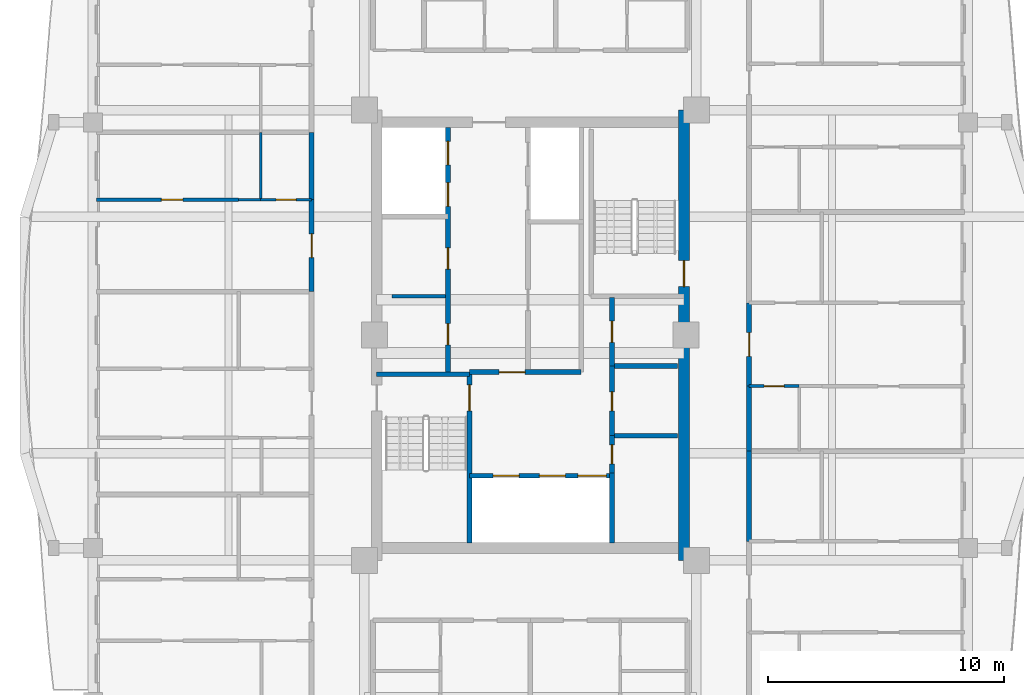
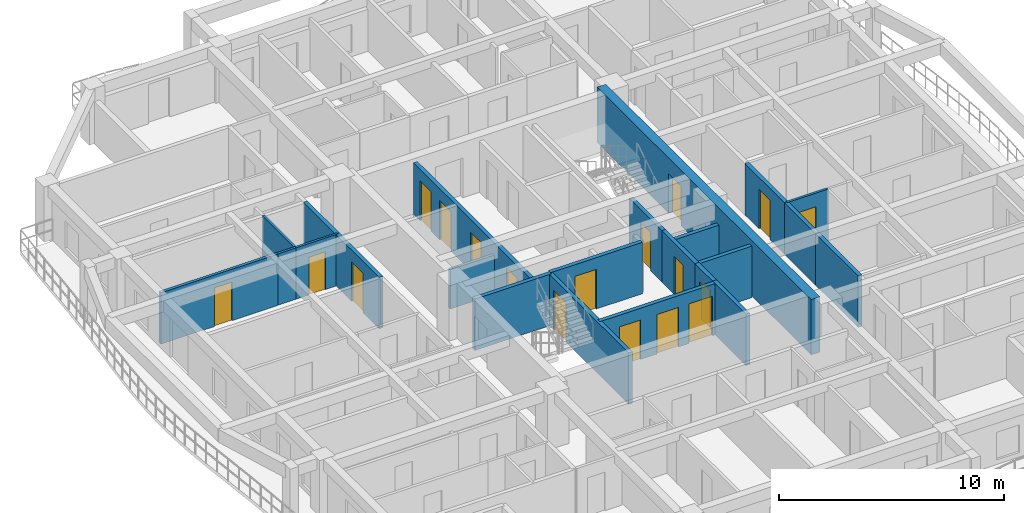
# One storey, part 4 of 13: 23 walls, 18 doors, 18 openings.
"""IFC4 building model written with IfcOpenShell, lengths in metres."""

from ifc_helpers import new_model, si_unit, direction, frame, frame_2d, origin, place, context, subcontext, project, spatial, rectangle, extrude, source, transform, mapped, material, layer, layer_set, type_object, element, fill, save


model = new_model("IFC4")

# Units and contexts
model_context = context("Model", 3, precision=1e-05, world=origin(), true_north=direction((0.0, 1.0)))
body_context = subcontext(model_context, "Body", "Model", "MODEL_VIEW")
ifc_project = project(units=[si_unit("LENGTHUNIT", "METRE"), si_unit("AREAUNIT", "SQUARE_METRE"), si_unit("VOLUMEUNIT", "CUBIC_METRE"), si_unit("PLANEANGLEUNIT", "RADIAN"), si_unit("MASSUNIT", "GRAM", prefix="KILO")], contexts=[model_context])

# Site, building, storey
site_placement = place(None, origin())
site = spatial("IfcSite", under=ifc_project, at=site_placement, CompositionType="ELEMENT")
building_placement = place(site_placement, origin())
building = spatial("IfcBuilding", under=site, at=building_placement, Name="Saelheon Loggia Tower", CompositionType="ELEMENT")
storey_placement = place(building_placement, frame((0.0, 0.0, 199.60009765625)))
storey = spatial("IfcBuildingStorey", under=building, at=storey_placement, Name="L62", CompositionType="ELEMENT", Elevation=199.60009765625)

# Wall, opening, door
ifc_material_1 = material(Name="Concrete C45/55", Category="concrete")
ifc_layer_1 = layer(ifc_material_1, 0.449951171875)
ifc_layer_set_1 = layer_set([ifc_layer_1], Name="Concrete C45/55")
wall_type_1 = type_object("IfcWallType", Name="Wall_CoreShear_450", PredefinedType="SHEAR", material=ifc_layer_set_1)
wall_1_placement = place(storey_placement, frame((44.5, 17.47998046875, 0.0), z_axis=(0.0, 0.0, 1.0), x_axis=(0.0, 1.0, 0.0)))
wall_1 = element("IfcWall", 1, at=wall_1_placement, inside=storey, type_object=wall_type_1, Name="L62 Core Shear Wall East", PredefinedType="SHEAR", context=body_context, shape_type="SweptSolid", body=[
    extrude(rectangle(XDim=19.0400390625, YDim=0.449951171875, at=frame_2d((9.52001953125, 0.0))), origin(), (0.0, 0.0, 1.0), 3.0),
])
opening_1_placement = place(wall_1_placement, frame((12.670166015625, 0.0, 0.0), z_axis=(0.0, 0.0, 1.0), x_axis=(-1.0, 0.0, 0.0)))
opening_1 = element("IfcOpeningElement", 2, at=opening_1_placement, cuts=wall_1, Name="Opening D-FD2", PredefinedType="OPENING", context=body_context, shape_type="SweptSolid", body=[
    extrude(rectangle(XDim=1.10009765625, YDim=2.14990234375, at=frame_2d((0.550048828125, 1.074951171875))), frame((0.0, 0.237060546875, 0.0), z_axis=(0.0, -1.0, 0.0), x_axis=(1.0, 0.0, 0.0)), (0.0, 0.0, 1.0), 0.473876953125),
])
ifc_material_2 = material(Name="Galvanised Steel Fire Door", Category="steel")
door_type_1 = type_object("IfcDoorType", Name="Door_Fire_FD60_1100", OperationType="NOTDEFINED", PredefinedType="DOOR", material=ifc_material_2)
shared_shape_1 = source(origin(), body_context, "Body", "SweptSolid", [
    extrude(rectangle(XDim=1.10009765625, YDim=2.14990234375, at=frame_2d((0.550048828125, 1.074951171875))), frame((0.0, 0.02490234375, 0.0), z_axis=(0.0, -1.0, 0.0), x_axis=(1.0, 0.0, 0.0)), (0.0, 0.0, 1.0), 0.050048828125),
])
door_1_placement = place(opening_1_placement, origin())
door_1 = element("IfcDoor", 3, at=door_1_placement, inside=storey, type_object=door_type_1, Name="L62 Stair ST2 Corridor Door", OperationType="SINGLE_SWING_RIGHT", OverallHeight=2.14990234375, OverallWidth=1.10009765625, PredefinedType="DOOR", context=body_context, shape_type="MappedRepresentation", body=[
    mapped(shared_shape_1, transform((0.0, 0.0, 0.0), scale=1.0)),
])
fill(opening_1, door_1)

# Wall
ifc_material_3 = material(Name="Lightweight Autoclaved Aerated Concrete Block and Acoustic Gypsum", Category="concrete")
ifc_layer_2 = layer(ifc_material_3, 0.14990234375)
ifc_layer_set_2 = layer_set([ifc_layer_2], Name="Lightweight Autoclaved Aerated Concrete Block and Acoustic Gypsum")
wall_type_2 = type_object("IfcWallType", Name="Wall_Part_150", PredefinedType="PARTITIONING", material=ifc_layer_set_2)
wall_2_placement = place(storey_placement, frame((32.14990234375, 28.64990234375, 0.0), z_axis=(0.0, 0.0, 1.0), x_axis=(1.0, 0.0, 0.0)))
element("IfcWall", 4, at=wall_2_placement, inside=storey, type_object=wall_type_2, Name="L62 Freed Core Partition PL", PredefinedType="PARTITIONING", context=body_context, shape_type="SweptSolid", body=[
    extrude(rectangle(XDim=2.27001953125, YDim=0.14990234375, at=frame_2d((1.135009765625, 0.0))), origin(), (0.0, 0.0, 1.0), 2.139892578125),
])

# Wall, opening, door
wall_3_placement = place(storey_placement, frame((25.669921875, 32.729248046875, 0.0), z_axis=(0.0, 0.0, 1.0), x_axis=(-1.0, 0.0, 0.0)))
wall_3 = element("IfcWall", 5, at=wall_3_placement, inside=storey, type_object=wall_type_2, Name="L62 W Partition U30", PredefinedType="PARTITIONING", context=body_context, shape_type="SweptSolid", body=[
    extrude(rectangle(XDim=6.02001953125, YDim=0.14990234375, at=frame_2d((3.010009765625, 0.0))), origin(), (0.0, 0.0, 1.0), 2.789794921875),
])
opening_2_placement = place(wall_3_placement, frame((2.36669921875, 0.0, 0.0)))
opening_2 = element("IfcOpeningElement", 6, at=opening_2_placement, cuts=wall_3, Name="Opening D-IN2", PredefinedType="OPENING", context=body_context, shape_type="SweptSolid", body=[
    extrude(rectangle(XDim=0.89990234375, YDim=2.10009765625, at=frame_2d((0.449951171875, 1.050048828125))), frame((0.0, 0.0869140625, 0.0), z_axis=(0.0, -1.0, 0.0), x_axis=(1.0, 0.0, 0.0)), (0.0, 0.0, 1.0), 0.173828125),
])
ifc_material_4 = material(Name="Engineered Oak Flush Door", Category="timber")
door_type_2 = type_object("IfcDoorType", Name="Door_Int_900", OperationType="NOTDEFINED", PredefinedType="DOOR", material=ifc_material_4)
shared_shape_2 = source(origin(), body_context, "Body", "SweptSolid", [
    extrude(rectangle(XDim=0.89990234375, YDim=2.10009765625, at=frame_2d((0.449951171875, 1.050048828125))), frame((0.0, 0.02490234375, 0.0), z_axis=(0.0, -1.0, 0.0), x_axis=(1.0, 0.0, 0.0)), (0.0, 0.0, 1.0), 0.050048828125),
])
door_2_placement = place(opening_2_placement, origin())
door_2 = element("IfcDoor", 7, at=door_2_placement, inside=storey, type_object=door_type_2, Name="Unit U07 Kitchen Door", OperationType="SINGLE_SWING_LEFT", OverallHeight=2.10009765625, OverallWidth=0.89990234375, PredefinedType="DOOR", context=body_context, shape_type="MappedRepresentation", body=[
    mapped(shared_shape_2, transform((0.0, 0.0, 0.0), scale=1.0)),
])
fill(opening_2, door_2)

ifc_material_5 = material(Name="Double Acoustic Stud and Fireboard Partition", Category="gypsum")
ifc_layer_3 = layer(ifc_material_5, 0.199951171875)
ifc_layer_set_3 = layer_set([ifc_layer_3], Name="Double Acoustic Stud and Fireboard Partition")
wall_type_3 = type_object("IfcWallType", Name="Wall_Party_200", PredefinedType="PARTITIONING", material=ifc_layer_set_3)
wall_4_placement = place(storey_placement, frame((28.75, 28.83837890625, 0.0), z_axis=(0.0, 0.0, 1.0), x_axis=(0.0, 1.0, 0.0)))
wall_4 = element("IfcWall", 8, at=wall_4_placement, inside=storey, type_object=wall_type_3, Name="L62 W Partition V25", PredefinedType="PARTITIONING", context=body_context, shape_type="SweptSolid", body=[
    extrude(rectangle(XDim=3.890869140625, YDim=0.199951171875, at=frame_2d((1.9453125, 0.0))), origin(), (0.0, 0.0, 1.0), 2.789794921875),
])
opening_3_placement = place(wall_4_placement, frame((1.4453125, 0.0, 0.0)))
opening_3 = element("IfcOpeningElement", 9, at=opening_3_placement, cuts=wall_4, Name="Opening D-FD1", PredefinedType="OPENING", context=body_context, shape_type="SweptSolid", body=[
    extrude(rectangle(XDim=1.0, YDim=2.14990234375, at=frame_2d((0.5, 1.074951171875))), frame((0.0, 0.112060546875, 0.0), z_axis=(0.0, -1.0, 0.0), x_axis=(1.0, 0.0, 0.0)), (0.0, 0.0, 1.0), 0.223876953125),
])
ifc_material_6 = material(Name="Fire-Rated Engineered Timber Entrance Door", Category="wood")
door_type_3 = type_object("IfcDoorType", Name="Door_Flat_FD30S", OperationType="NOTDEFINED", PredefinedType="DOOR", material=ifc_material_6)
shared_shape_3 = source(origin(), body_context, "Body", "SweptSolid", [
    extrude(rectangle(XDim=1.0, YDim=2.14990234375, at=frame_2d((0.5, 1.074951171875))), frame((0.0, 0.02490234375, 0.0), z_axis=(0.0, -1.0, 0.0), x_axis=(1.0, 0.0, 0.0)), (0.0, 0.0, 1.0), 0.050048828125),
])
door_3_placement = place(opening_3_placement, origin())
door_3 = element("IfcDoor", 10, at=door_3_placement, inside=storey, type_object=door_type_3, Name="Unit U07 Entrance Door", OperationType="SINGLE_SWING_LEFT", OverallHeight=2.14990234375, OverallWidth=1.0, PredefinedType="DOOR", context=body_context, shape_type="MappedRepresentation", body=[
    mapped(shared_shape_3, transform((0.0, 0.0, 0.0), scale=1.0)),
])
fill(opening_3, door_3)

# Walls
wall_5_placement = place(storey_placement, frame((28.75, 32.729248046875, 0.0), z_axis=(0.0, 0.0, 1.0), x_axis=(0.0, 1.0, 0.0)))
element("IfcWall", 11, at=wall_5_placement, inside=storey, type_object=wall_type_3, Name="L62 W Partition V26", PredefinedType="PARTITIONING", context=body_context, shape_type="SweptSolid", body=[
    extrude(rectangle(XDim=2.849853515625, YDim=0.199951171875, at=frame_2d((1.4248046875, 0.0))), origin(), (0.0, 0.0, 1.0), 2.789794921875),
])
wall_6_placement = place(storey_placement, frame((47.25, 18.280029296875, 0.0), z_axis=(0.0, 0.0, 1.0), x_axis=(0.0, 1.0, 0.0)))
element("IfcWall", 12, at=wall_6_placement, inside=storey, type_object=wall_type_3, Name="L62 E Partition V05", PredefinedType="PARTITIONING", context=body_context, shape_type="SweptSolid", body=[
    extrude(rectangle(XDim=3.817626953125, YDim=0.199951171875, at=frame_2d((1.90869140625, 0.0))), origin(), (0.0, 0.0, 1.0), 2.789794921875),
])
wall_7_placement = place(storey_placement, frame((47.25, 22.09765625, 0.0), z_axis=(0.0, 0.0, 1.0), x_axis=(0.0, 1.0, 0.0)))
element("IfcWall", 13, at=wall_7_placement, inside=storey, type_object=wall_type_3, Name="L62 E Partition V14", PredefinedType="PARTITIONING", context=body_context, shape_type="SweptSolid", body=[
    extrude(rectangle(XDim=2.75, YDim=0.199951171875, at=frame_2d((1.375, 0.0))), origin(), (0.0, 0.0, 1.0), 2.789794921875),
])

# Wall, opening, door
wall_8_placement = place(storey_placement, frame((47.25, 24.84765625, 0.0), z_axis=(0.0, 0.0, 1.0), x_axis=(0.0, 1.0, 0.0)))
wall_8 = element("IfcWall", 14, at=wall_8_placement, inside=storey, type_object=wall_type_3, Name="L62 E Partition V15", PredefinedType="PARTITIONING", context=body_context, shape_type="SweptSolid", body=[
    extrude(rectangle(XDim=3.518798828125, YDim=0.199951171875, at=frame_2d((1.75927734375, 0.0))), origin(), (0.0, 0.0, 1.0), 2.789794921875),
])
opening_4_placement = place(wall_8_placement, frame((1.259521484375, 0.0, 0.0)))
opening_4 = element("IfcOpeningElement", 15, at=opening_4_placement, cuts=wall_8, Name="Opening D-FD1", PredefinedType="OPENING", context=body_context, shape_type="SweptSolid", body=[
    extrude(rectangle(XDim=1.0, YDim=2.14990234375, at=frame_2d((0.5, 1.074951171875))), frame((0.0, 0.112060546875, 0.0), z_axis=(0.0, -1.0, 0.0), x_axis=(1.0, 0.0, 0.0)), (0.0, 0.0, 1.0), 0.223876953125),
])
door_4_placement = place(opening_4_placement, origin())
door_4 = element("IfcDoor", 16, at=door_4_placement, inside=storey, type_object=door_type_3, Name="Unit U10 Entrance Door", OperationType="SINGLE_SWING_RIGHT", OverallHeight=2.14990234375, OverallWidth=1.0, PredefinedType="DOOR", context=body_context, shape_type="MappedRepresentation", body=[
    mapped(shared_shape_3, transform((0.0, 0.0, 0.0), scale=1.0)),
])
fill(opening_4, door_4)

# Walls
ifc_material_7 = material(Name="Concrete C40/50", Category="concrete")
ifc_layer_4 = layer(ifc_material_7, 0.199951171875)
ifc_layer_set_4 = layer_set([ifc_layer_4], Name="Concrete C40/50")
wall_type_4 = type_object("IfcWallType", Name="Wall_Shaft_200", PredefinedType="PARTITIONING", material=ifc_layer_set_4)
wall_9_placement = place(storey_placement, frame((41.550048828125, 22.75, 0.0), z_axis=(0.0, 0.0, 1.0), x_axis=(1.0, 0.0, 0.0)))
element("IfcWall", 17, at=wall_9_placement, inside=storey, type_object=wall_type_4, Name="CW-BOH-L62-H1", PredefinedType="PARTITIONING", context=body_context, shape_type="SweptSolid", body=[
    extrude(rectangle(XDim=2.669921875, YDim=0.199951171875, at=frame_2d((1.3349609375, 0.0))), origin(), (0.0, 0.0, 1.0), 2.789794921875),
])
wall_10_placement = place(storey_placement, frame((41.550048828125, 25.699951171875, 0.0), z_axis=(0.0, 0.0, 1.0), x_axis=(1.0, 0.0, 0.0)))
element("IfcWall", 18, at=wall_10_placement, inside=storey, type_object=wall_type_4, Name="CW-BOH-L62-H2", PredefinedType="PARTITIONING", context=body_context, shape_type="SweptSolid", body=[
    extrude(rectangle(XDim=2.669921875, YDim=0.199951171875, at=frame_2d((1.3349609375, 0.0))), origin(), (0.0, 0.0, 1.0), 2.139892578125),
])
wall_11_placement = place(storey_placement, frame((41.449951171875, 18.219970703125, 0.0), z_axis=(0.0, 0.0, 1.0), x_axis=(0.0, 1.0, 0.0)))
element("IfcWall", 19, at=wall_11_placement, inside=storey, type_object=wall_type_4, Name="CW-INT-L62-BOH-W0", PredefinedType="PARTITIONING", context=body_context, shape_type="SweptSolid", body=[
    extrude(rectangle(XDim=2.9599609375, YDim=0.199951171875, at=frame_2d((1.47998046875, 0.0))), origin(), (0.0, 0.0, 1.0), 2.789794921875),
])

# Wall, opening, door
wall_12_placement = place(storey_placement, frame((41.449951171875, 21.179931640625, 0.0), z_axis=(0.0, 0.0, 1.0), x_axis=(0.0, 1.0, 0.0)))
wall_12 = element("IfcWall", 20, at=wall_12_placement, inside=storey, type_object=wall_type_4, Name="CW-INT-L62-BOH-W1", PredefinedType="PARTITIONING", context=body_context, shape_type="SweptSolid", body=[
    extrude(rectangle(XDim=1.570068359375, YDim=0.199951171875, at=frame_2d((0.78515625, 0.0))), origin(), (0.0, 0.0, 1.0), 2.789794921875),
])
opening_5_placement = place(wall_12_placement, frame((0.3798828125, 0.0, 0.0)))
opening_5 = element("IfcOpeningElement", 21, at=opening_5_placement, cuts=wall_12, Name="Opening D-ST1", PredefinedType="OPENING", context=body_context, shape_type="SweptSolid", body=[
    extrude(rectangle(XDim=0.800048828125, YDim=2.050048828125, at=frame_2d((0.39990234375, 1.02490234375))), frame((0.0, 0.112060546875, 0.0), z_axis=(0.0, -1.0, 0.0), x_axis=(1.0, 0.0, 0.0)), (0.0, 0.0, 1.0), 0.223876953125),
])
ifc_material_8 = material(Name="Powder-Coated Steel Store Door", Category="steel")
door_type_4 = type_object("IfcDoorType", Name="Door_Store_800", OperationType="NOTDEFINED", PredefinedType="DOOR", material=ifc_material_8)
shared_shape_4 = source(origin(), body_context, "Body", "SweptSolid", [
    extrude(rectangle(XDim=0.800048828125, YDim=2.050048828125, at=frame_2d((0.39990234375, 1.02490234375))), frame((0.0, 0.02490234375, 0.0), z_axis=(0.0, -1.0, 0.0), x_axis=(1.0, 0.0, 0.0)), (0.0, 0.0, 1.0), 0.050048828125),
])
door_5_placement = place(opening_5_placement, origin())
door_5 = element("IfcDoor", 22, at=door_5_placement, inside=storey, type_object=door_type_4, Name="L62 Cleaner Store Door", OperationType="SINGLE_SWING_RIGHT", OverallHeight=2.050048828125, OverallWidth=0.800048828125, PredefinedType="DOOR", context=body_context, shape_type="MappedRepresentation", body=[
    mapped(shared_shape_4, transform((0.0, 0.0, 0.0), scale=1.0)),
])
fill(opening_5, door_5)

wall_13_placement = place(storey_placement, frame((41.449951171875, 22.75, 0.0), z_axis=(0.0, 0.0, 1.0), x_axis=(0.0, 1.0, 0.0)))
wall_13 = element("IfcWall", 23, at=wall_13_placement, inside=storey, type_object=wall_type_4, Name="CW-INT-L62-BOH-W2", PredefinedType="PARTITIONING", context=body_context, shape_type="SweptSolid", body=[
    extrude(rectangle(XDim=2.949951171875, YDim=0.199951171875, at=frame_2d((1.47509765625, 0.0))), origin(), (0.0, 0.0, 1.0), 2.789794921875),
])
opening_6_placement = place(wall_13_placement, frame((1.050048828125, 0.0, 0.0)))
opening_6 = element("IfcOpeningElement", 24, at=opening_6_placement, cuts=wall_13, Name="Opening D-ST1", PredefinedType="OPENING", context=body_context, shape_type="SweptSolid", body=[
    extrude(rectangle(XDim=0.800048828125, YDim=2.050048828125, at=frame_2d((0.39990234375, 1.02490234375))), frame((0.0, 0.112060546875, 0.0), z_axis=(0.0, -1.0, 0.0), x_axis=(1.0, 0.0, 0.0)), (0.0, 0.0, 1.0), 0.223876953125),
])
door_6_placement = place(opening_6_placement, origin())
door_6 = element("IfcDoor", 25, at=door_6_placement, inside=storey, type_object=door_type_4, Name="L62 Electrical Riser Door", OperationType="SINGLE_SWING_LEFT", OverallHeight=2.050048828125, OverallWidth=0.800048828125, PredefinedType="DOOR", context=body_context, shape_type="MappedRepresentation", body=[
    mapped(shared_shape_4, transform((0.0, 0.0, 0.0), scale=1.0)),
])
fill(opening_6, door_6)

wall_14_placement = place(storey_placement, frame((41.449951171875, 25.699951171875, 0.0), z_axis=(0.0, 0.0, 1.0), x_axis=(0.0, 1.0, 0.0)))
wall_14 = element("IfcWall", 26, at=wall_14_placement, inside=storey, type_object=wall_type_4, Name="CW-INT-L62-BOH-W3", PredefinedType="PARTITIONING", context=body_context, shape_type="SweptSolid", body=[
    extrude(rectangle(XDim=2.900146484375, YDim=0.199951171875, at=frame_2d((1.4501953125, 0.0))), origin(), (0.0, 0.0, 1.0), 2.789794921875),
])
opening_7_placement = place(wall_14_placement, frame((1.0, 0.0, 0.0)))
opening_7 = element("IfcOpeningElement", 27, at=opening_7_placement, cuts=wall_14, Name="Opening D-RS1", PredefinedType="OPENING", context=body_context, shape_type="SweptSolid", body=[
    extrude(rectangle(XDim=0.89990234375, YDim=2.10009765625, at=frame_2d((0.449951171875, 1.050048828125))), frame((0.0, 0.112060546875, 0.0), z_axis=(0.0, -1.0, 0.0), x_axis=(1.0, 0.0, 0.0)), (0.0, 0.0, 1.0), 0.223876953125),
])
ifc_material_9 = material(Name="Galvanised Steel Riser Access Door", Category="steel")
door_type_5 = type_object("IfcDoorType", Name="Door_Riser_FD60", OperationType="NOTDEFINED", PredefinedType="DOOR", material=ifc_material_9)
door_7_placement = place(opening_7_placement, origin())
door_7 = element("IfcDoor", 28, at=door_7_placement, inside=storey, type_object=door_type_5, Name="L62 Floor IT Room Door", OperationType="SINGLE_SWING_RIGHT", OverallHeight=2.10009765625, OverallWidth=0.89990234375, PredefinedType="DOOR", context=body_context, shape_type="MappedRepresentation", body=[
    mapped(shared_shape_2, transform((0.0, 0.0, 0.0), scale=1.0)),
])
fill(opening_7, door_7)

# Wall, openings, doors
wall_15_placement = place(storey_placement, frame((35.429931640625, 21.06005859375, 0.0), z_axis=(0.0, 0.0, 1.0), x_axis=(1.0, 0.0, 0.0)))
wall_15 = element("IfcWall", 29, at=wall_15_placement, inside=storey, type_object=wall_type_4, Name="L62 Firefighting Lift Shaft Front Wall", PredefinedType="PARTITIONING", context=body_context, shape_type="SweptSolid", body=[
    extrude(rectangle(XDim=6.02001953125, YDim=0.199951171875, at=frame_2d((3.010009765625, 0.0))), origin(), (0.0, 0.0, 1.0), 2.789794921875),
])
opening_8_placement = place(wall_15_placement, frame((1.0, 0.0, 0.0)))
opening_8 = element("IfcOpeningElement", 30, at=opening_8_placement, cuts=wall_15, Name="Opening LD2", PredefinedType="OPENING", context=body_context, shape_type="SweptSolid", body=[
    extrude(rectangle(XDim=1.10009765625, YDim=2.14990234375, at=frame_2d((0.550048828125, 1.074951171875))), frame((0.0, 0.112060546875, 0.0), z_axis=(0.0, -1.0, 0.0), x_axis=(1.0, 0.0, 0.0)), (0.0, 0.0, 1.0), 0.223876953125),
])
opening_9_placement = place(wall_15_placement, frame((2.949951171875, 0.0, 0.0)))
opening_9 = element("IfcOpeningElement", 31, at=opening_9_placement, cuts=wall_15, Name="Opening LD2", PredefinedType="OPENING", context=body_context, shape_type="SweptSolid", body=[
    extrude(rectangle(XDim=1.10009765625, YDim=2.14990234375, at=frame_2d((0.550048828125, 1.074951171875))), frame((0.0, 0.112060546875, 0.0), z_axis=(0.0, -1.0, 0.0), x_axis=(1.0, 0.0, 0.0)), (0.0, 0.0, 1.0), 0.223876953125),
])
opening_10_placement = place(wall_15_placement, frame((4.580078125, 0.0, 0.0)))
opening_10 = element("IfcOpeningElement", 32, at=opening_10_placement, cuts=wall_15, Name="Opening LD3", PredefinedType="OPENING", context=body_context, shape_type="SweptSolid", body=[
    extrude(rectangle(XDim=1.199951171875, YDim=2.14990234375, at=frame_2d((0.60009765625, 1.074951171875))), frame((0.0, 0.112060546875, 0.0), z_axis=(0.0, -1.0, 0.0), x_axis=(1.0, 0.0, 0.0)), (0.0, 0.0, 1.0), 0.223876953125),
])
ifc_material_10 = material(Name="Firefighting Stainless Steel 316 Landing Door", Category="steel")
door_type_6 = type_object("IfcDoorType", Name="Door_Lift_LD2", OperationType="DOUBLE_DOOR_SLIDING", PredefinedType="DOOR", material=ifc_material_10)
door_8_placement = place(opening_8_placement, origin())
door_8 = element("IfcDoor", 33, at=door_8_placement, inside=storey, type_object=door_type_6, Name="L62 FF1 Landing Door", OperationType="DOUBLE_DOOR_SLIDING", OverallHeight=2.14990234375, OverallWidth=1.10009765625, PredefinedType="DOOR", context=body_context, shape_type="MappedRepresentation", body=[
    mapped(shared_shape_1, transform((0.0, 0.0, 0.0), scale=1.0)),
])
fill(opening_8, door_8)
door_9_placement = place(opening_9_placement, origin())
door_9 = element("IfcDoor", 34, at=door_9_placement, inside=storey, type_object=door_type_6, Name="L62 FF2 Landing Door", OperationType="DOUBLE_DOOR_SLIDING", OverallHeight=2.14990234375, OverallWidth=1.10009765625, PredefinedType="DOOR", context=body_context, shape_type="MappedRepresentation", body=[
    mapped(shared_shape_1, transform((0.0, 0.0, 0.0), scale=1.0)),
])
fill(opening_9, door_9)
ifc_material_11 = material(Name="Stretcher Lift Stainless Steel 304 Landing Door", Category="steel")
door_type_7 = type_object("IfcDoorType", Name="Door_Lift_LD3", OperationType="DOUBLE_DOOR_SLIDING", PredefinedType="DOOR", material=ifc_material_11)
shared_shape_5 = source(origin(), body_context, "Body", "SweptSolid", [
    extrude(rectangle(XDim=1.199951171875, YDim=2.14990234375, at=frame_2d((0.60009765625, 1.074951171875))), frame((0.0, 0.02490234375, 0.0), z_axis=(0.0, -1.0, 0.0), x_axis=(1.0, 0.0, 0.0)), (0.0, 0.0, 1.0), 0.050048828125),
])
door_10_placement = place(opening_10_placement, origin())
door_10 = element("IfcDoor", 35, at=door_10_placement, inside=storey, type_object=door_type_7, Name="L62 SV1 Landing Door", OperationType="DOUBLE_DOOR_SLIDING", OverallHeight=2.14990234375, OverallWidth=1.199951171875, PredefinedType="DOOR", context=body_context, shape_type="MappedRepresentation", body=[
    mapped(shared_shape_5, transform((0.0, 0.0, 0.0), scale=1.0)),
])
fill(opening_10, door_10)

# Wall, opening, door
wall_16_placement = place(storey_placement, frame((35.429931640625, 25.43994140625, 0.0), z_axis=(0.0, 0.0, 1.0), x_axis=(1.0, 0.0, 0.0)))
wall_16 = element("IfcWall", 36, at=wall_16_placement, inside=storey, type_object=wall_type_4, Name="L62 Firefighting Lobby Compartment Wall", PredefinedType="PARTITIONING", context=body_context, shape_type="SweptSolid", body=[
    extrude(rectangle(XDim=4.719970703125, YDim=0.199951171875, at=frame_2d((2.35986328125, 0.0))), origin(), (0.0, 0.0, 1.0), 2.789794921875),
])
opening_11_placement = place(wall_16_placement, frame((1.25, 0.0, 0.0)))
opening_11 = element("IfcOpeningElement", 37, at=opening_11_placement, cuts=wall_16, Name="Opening D-FD2", PredefinedType="OPENING", context=body_context, shape_type="SweptSolid", body=[
    extrude(rectangle(XDim=1.10009765625, YDim=2.14990234375, at=frame_2d((0.550048828125, 1.074951171875))), frame((0.0, 0.112060546875, 0.0), z_axis=(0.0, -1.0, 0.0), x_axis=(1.0, 0.0, 0.0)), (0.0, 0.0, 1.0), 0.223876953125),
])
door_11_placement = place(opening_11_placement, origin())
door_11 = element("IfcDoor", 38, at=door_11_placement, inside=storey, type_object=door_type_1, Name="L62 Firefighting Lobby Door", OperationType="SINGLE_SWING_LEFT", OverallHeight=2.14990234375, OverallWidth=1.10009765625, PredefinedType="DOOR", context=body_context, shape_type="MappedRepresentation", body=[
    mapped(shared_shape_1, transform((0.0, 0.0, 0.0), scale=1.0)),
])
fill(opening_11, door_11)

# Wall, openings, doors
wall_17_placement = place(storey_placement, frame((34.52001953125, 25.43994140625, 0.0), z_axis=(0.0, 0.0, 1.0), x_axis=(0.0, 1.0, 0.0)))
wall_17 = element("IfcWall", 39, at=wall_17_placement, inside=storey, type_object=wall_type_4, Name="L62 West Passenger Lift Bank Wall", PredefinedType="PARTITIONING", context=body_context, shape_type="SweptSolid", body=[
    extrude(rectangle(XDim=10.340087890625, YDim=0.199951171875, at=frame_2d((5.169921875, 0.0))), origin(), (0.0, 0.0, 1.0), 2.789794921875),
])
opening_12_placement = place(wall_17_placement, frame((1.14990234375, 0.0, 0.0)))
opening_12 = element("IfcOpeningElement", 40, at=opening_12_placement, cuts=wall_17, Name="Opening D-RS1", PredefinedType="OPENING", context=body_context, shape_type="SweptSolid", body=[
    extrude(rectangle(XDim=0.89990234375, YDim=2.10009765625, at=frame_2d((0.449951171875, 1.050048828125))), frame((0.0, 0.112060546875, 0.0), z_axis=(0.0, -1.0, 0.0), x_axis=(1.0, 0.0, 0.0)), (0.0, 0.0, 1.0), 0.223876953125),
])
opening_13_placement = place(wall_17_placement, frame((4.35009765625, 0.0, 0.0)))
opening_13 = element("IfcOpeningElement", 41, at=opening_13_placement, cuts=wall_17, Name="Opening D-RS1", PredefinedType="OPENING", context=body_context, shape_type="SweptSolid", body=[
    extrude(rectangle(XDim=0.89990234375, YDim=2.10009765625, at=frame_2d((0.449951171875, 1.050048828125))), frame((0.0, 0.112060546875, 0.0), z_axis=(0.0, -1.0, 0.0), x_axis=(1.0, 0.0, 0.0)), (0.0, 0.0, 1.0), 0.223876953125),
])
opening_14_placement = place(wall_17_placement, frame((7.010009765625, 0.0, 0.0)))
opening_14 = element("IfcOpeningElement", 42, at=opening_14_placement, cuts=wall_17, Name="Opening LD1", PredefinedType="OPENING", context=body_context, shape_type="SweptSolid", body=[
    extrude(rectangle(XDim=1.0, YDim=2.14990234375, at=frame_2d((0.5, 1.074951171875))), frame((0.0, 0.112060546875, 0.0), z_axis=(0.0, -1.0, 0.0), x_axis=(1.0, 0.0, 0.0)), (0.0, 0.0, 1.0), 0.223876953125),
])
opening_15_placement = place(wall_17_placement, frame((8.760009765625, 0.0, 0.0)))
opening_15 = element("IfcOpeningElement", 43, at=opening_15_placement, cuts=wall_17, Name="Opening LD1", PredefinedType="OPENING", context=body_context, shape_type="SweptSolid", body=[
    extrude(rectangle(XDim=1.0, YDim=2.14990234375, at=frame_2d((0.5, 1.074951171875))), frame((0.0, 0.112060546875, 0.0), z_axis=(0.0, -1.0, 0.0), x_axis=(1.0, 0.0, 0.0)), (0.0, 0.0, 1.0), 0.223876953125),
])
door_12_placement = place(opening_12_placement, origin())
door_12 = element("IfcDoor", 44, at=door_12_placement, inside=storey, type_object=door_type_5, Name="L62 Parcel Store Door", OperationType="SINGLE_SWING_LEFT", OverallHeight=2.10009765625, OverallWidth=0.89990234375, PredefinedType="DOOR", context=body_context, shape_type="MappedRepresentation", body=[
    mapped(shared_shape_2, transform((0.0, 0.0, 0.0), scale=1.0)),
])
fill(opening_12, door_12)
door_13_placement = place(opening_13_placement, origin())
door_13 = element("IfcDoor", 45, at=door_13_placement, inside=storey, type_object=door_type_5, Name="L62 Smart Metering Door", OperationType="SINGLE_SWING_RIGHT", OverallHeight=2.10009765625, OverallWidth=0.89990234375, PredefinedType="DOOR", context=body_context, shape_type="MappedRepresentation", body=[
    mapped(shared_shape_2, transform((0.0, 0.0, 0.0), scale=1.0)),
])
fill(opening_13, door_13)
ifc_material_12 = material(Name="Brushed Stainless Steel 304 Landing Door", Category="steel")
door_type_8 = type_object("IfcDoorType", Name="Door_Lift_LD1", OperationType="DOUBLE_DOOR_SLIDING", PredefinedType="DOOR", material=ifc_material_12)
door_14_placement = place(opening_14_placement, origin())
door_14 = element("IfcDoor", 46, at=door_14_placement, inside=storey, type_object=door_type_8, Name="L62 PH1 Landing Door", OperationType="DOUBLE_DOOR_SLIDING", OverallHeight=2.14990234375, OverallWidth=1.0, PredefinedType="DOOR", context=body_context, shape_type="MappedRepresentation", body=[
    mapped(shared_shape_3, transform((0.0, 0.0, 0.0), scale=1.0)),
])
fill(opening_14, door_14)
door_15_placement = place(opening_15_placement, origin())
door_15 = element("IfcDoor", 47, at=door_15_placement, inside=storey, type_object=door_type_8, Name="L62 PH2 Landing Door", OperationType="DOUBLE_DOOR_SLIDING", OverallHeight=2.14990234375, OverallWidth=1.0, PredefinedType="DOOR", context=body_context, shape_type="MappedRepresentation", body=[
    mapped(shared_shape_3, transform((0.0, 0.0, 0.0), scale=1.0)),
])
fill(opening_15, door_15)

# Wall, opening, door
ifc_layer_5 = layer(ifc_material_1, 0.199951171875)
ifc_layer_set_5 = layer_set([ifc_layer_5], Name="Concrete C45/55")
wall_type_5 = type_object("IfcWallType", Name="Wall_StairShaft_RC200", PredefinedType="SOLIDWALL", material=ifc_layer_set_5)
wall_18_placement = place(storey_placement, frame((35.429931640625, 18.219970703125, 0.0), z_axis=(0.0, 0.0, 1.0), x_axis=(0.0, 1.0, 0.0)))
wall_18 = element("IfcWall", 48, at=wall_18_placement, inside=storey, type_object=wall_type_5, Name="L62 Stair ST1 Shaft Wall", PredefinedType="SOLIDWALL", context=body_context, shape_type="SweptSolid", body=[
    extrude(rectangle(XDim=7.219970703125, YDim=0.199951171875, at=frame_2d((3.60986328125, 0.0))), origin(), (0.0, 0.0, 1.0), 2.789794921875),
])
opening_16_placement = place(wall_18_placement, frame((6.68017578125, 0.0, 0.0), z_axis=(0.0, 0.0, 1.0), x_axis=(-1.0, 0.0, 0.0)))
opening_16 = element("IfcOpeningElement", 49, at=opening_16_placement, cuts=wall_18, Name="Opening D-FD2", PredefinedType="OPENING", context=body_context, shape_type="SweptSolid", body=[
    extrude(rectangle(XDim=1.10009765625, YDim=2.14990234375, at=frame_2d((0.550048828125, 1.074951171875))), frame((0.0, 0.112060546875, 0.0), z_axis=(0.0, -1.0, 0.0), x_axis=(1.0, 0.0, 0.0)), (0.0, 0.0, 1.0), 0.223876953125),
])
door_16_placement = place(opening_16_placement, origin())
door_16 = element("IfcDoor", 50, at=door_16_placement, inside=storey, type_object=door_type_1, Name="L62 Stair ST1 Lobby Door", OperationType="SINGLE_SWING_RIGHT", OverallHeight=2.14990234375, OverallWidth=1.10009765625, PredefinedType="DOOR", context=body_context, shape_type="MappedRepresentation", body=[
    mapped(shared_shape_1, transform((0.0, 0.0, 0.0), scale=1.0)),
])
fill(opening_16, door_16)

# Wall
wall_19_placement = place(storey_placement, frame((31.5, 25.35009765625, 0.0), z_axis=(0.0, 0.0, 1.0), x_axis=(1.0, 0.0, 0.0)))
element("IfcWall", 51, at=wall_19_placement, inside=storey, type_object=wall_type_5, Name="L62 Stair ST1 North Wall", PredefinedType="SOLIDWALL", context=body_context, shape_type="SweptSolid", body=[
    extrude(rectangle(XDim=3.929931640625, YDim=0.199951171875, at=frame_2d((1.96484375, 0.0))), origin(), (0.0, 0.0, 1.0), 2.789794921875),
])

# Wall, opening, door
ifc_material_13 = material(Name="Moisture-Resistant Cement Board Partition", Category="gypsum")
ifc_layer_6 = layer(ifc_material_13, 0.1201171875)
ifc_layer_set_6 = layer_set([ifc_layer_6], Name="Moisture-Resistant Cement Board Partition")
wall_type_6 = type_object("IfcWallType", Name="Wall_WetPart_120", PredefinedType="PARTITIONING", material=ifc_layer_set_6)
wall_20_placement = place(storey_placement, frame((28.75, 32.729248046875, 0.0), z_axis=(0.0, 0.0, 1.0), x_axis=(-1.0, 0.0, 0.0)))
wall_20 = element("IfcWall", 52, at=wall_20_placement, inside=storey, type_object=wall_type_6, Name="L62 W Partition U27", PredefinedType="PARTITIONING", context=body_context, shape_type="SweptSolid", body=[
    extrude(rectangle(XDim=2.14990234375, YDim=0.1201171875, at=frame_2d((1.074951171875, 0.0))), origin(), (0.0, 0.0, 1.0), 2.789794921875),
])
opening_17_placement = place(wall_20_placement, frame((0.64990234375, 0.0, 0.0)))
opening_17 = element("IfcOpeningElement", 53, at=opening_17_placement, cuts=wall_20, Name="Opening D-BT1", PredefinedType="OPENING", context=body_context, shape_type="SweptSolid", body=[
    extrude(rectangle(XDim=0.85009765625, YDim=2.050048828125, at=frame_2d((0.425048828125, 1.02490234375))), frame((0.0, 0.072021484375, 0.0), z_axis=(0.0, -1.0, 0.0), x_axis=(1.0, 0.0, 0.0)), (0.0, 0.0, 1.0), 0.14404296875),
])
ifc_material_14 = material(Name="Moisture-Resistant Laminate Timber Door", Category="wood")
door_type_9 = type_object("IfcDoorType", Name="Door_Bath_850", OperationType="NOTDEFINED", PredefinedType="DOOR", material=ifc_material_14)
shared_shape_6 = source(origin(), body_context, "Body", "SweptSolid", [
    extrude(rectangle(XDim=0.85009765625, YDim=2.050048828125, at=frame_2d((0.425048828125, 1.02490234375))), frame((0.0, 0.02490234375, 0.0), z_axis=(0.0, -1.0, 0.0), x_axis=(1.0, 0.0, 0.0)), (0.0, 0.0, 1.0), 0.050048828125),
])
door_17_placement = place(opening_17_placement, origin())
door_17 = element("IfcDoor", 54, at=door_17_placement, inside=storey, type_object=door_type_9, Name="Unit U07 Bathroom Door", OperationType="SINGLE_SWING_RIGHT", OverallHeight=2.050048828125, OverallWidth=0.85009765625, PredefinedType="DOOR", context=body_context, shape_type="MappedRepresentation", body=[
    mapped(shared_shape_6, transform((0.0, 0.0, 0.0), scale=1.0)),
])
fill(opening_17, door_17)

# Walls
wall_21_placement = place(storey_placement, frame((26.60009765625, 32.729248046875, 0.0), z_axis=(0.0, 0.0, 1.0), x_axis=(-1.0, 0.0, 0.0)))
element("IfcWall", 55, at=wall_21_placement, inside=storey, type_object=wall_type_6, Name="L62 W Partition U28", PredefinedType="PARTITIONING", context=body_context, shape_type="SweptSolid", body=[
    extrude(rectangle(XDim=0.93017578125, YDim=0.1201171875, at=frame_2d((0.465087890625, 0.0))), origin(), (0.0, 0.0, 1.0), 2.789794921875),
])
wall_22_placement = place(storey_placement, frame((26.60009765625, 32.729248046875, 0.0), z_axis=(0.0, 0.0, 1.0), x_axis=(0.0, 1.0, 0.0)))
element("IfcWall", 56, at=wall_22_placement, inside=storey, type_object=wall_type_6, Name="L62 W Partition V29", PredefinedType="PARTITIONING", context=body_context, shape_type="SweptSolid", body=[
    extrude(rectangle(XDim=2.849853515625, YDim=0.1201171875, at=frame_2d((1.4248046875, 0.0))), origin(), (0.0, 0.0, 1.0), 2.789794921875),
])

# Wall, opening, door
wall_23_placement = place(storey_placement, frame((47.25, 24.84765625, 0.0), z_axis=(0.0, 0.0, 1.0), x_axis=(1.0, 0.0, 0.0)))
wall_23 = element("IfcWall", 57, at=wall_23_placement, inside=storey, type_object=wall_type_6, Name="L62 E Partition U19", PredefinedType="PARTITIONING", context=body_context, shape_type="SweptSolid", body=[
    extrude(rectangle(XDim=2.1201171875, YDim=0.1201171875, at=frame_2d((1.06005859375, 0.0))), origin(), (0.0, 0.0, 1.0), 2.789794921875),
])
opening_18_placement = place(wall_23_placement, frame((0.635009765625, 0.0, 0.0)))
opening_18 = element("IfcOpeningElement", 58, at=opening_18_placement, cuts=wall_23, Name="Opening D-BT1", PredefinedType="OPENING", context=body_context, shape_type="SweptSolid", body=[
    extrude(rectangle(XDim=0.85009765625, YDim=2.050048828125, at=frame_2d((0.425048828125, 1.02490234375))), frame((0.0, 0.072021484375, 0.0), z_axis=(0.0, -1.0, 0.0), x_axis=(1.0, 0.0, 0.0)), (0.0, 0.0, 1.0), 0.14404296875),
])
door_18_placement = place(opening_18_placement, origin())
door_18 = element("IfcDoor", 59, at=door_18_placement, inside=storey, type_object=door_type_9, Name="Unit U10 Bathroom Door", OperationType="SINGLE_SWING_LEFT", OverallHeight=2.050048828125, OverallWidth=0.85009765625, PredefinedType="DOOR", context=body_context, shape_type="MappedRepresentation", body=[
    mapped(shared_shape_6, transform((0.0, 0.0, 0.0), scale=1.0)),
])
fill(opening_18, door_18)

save(model, "model.ifc")
